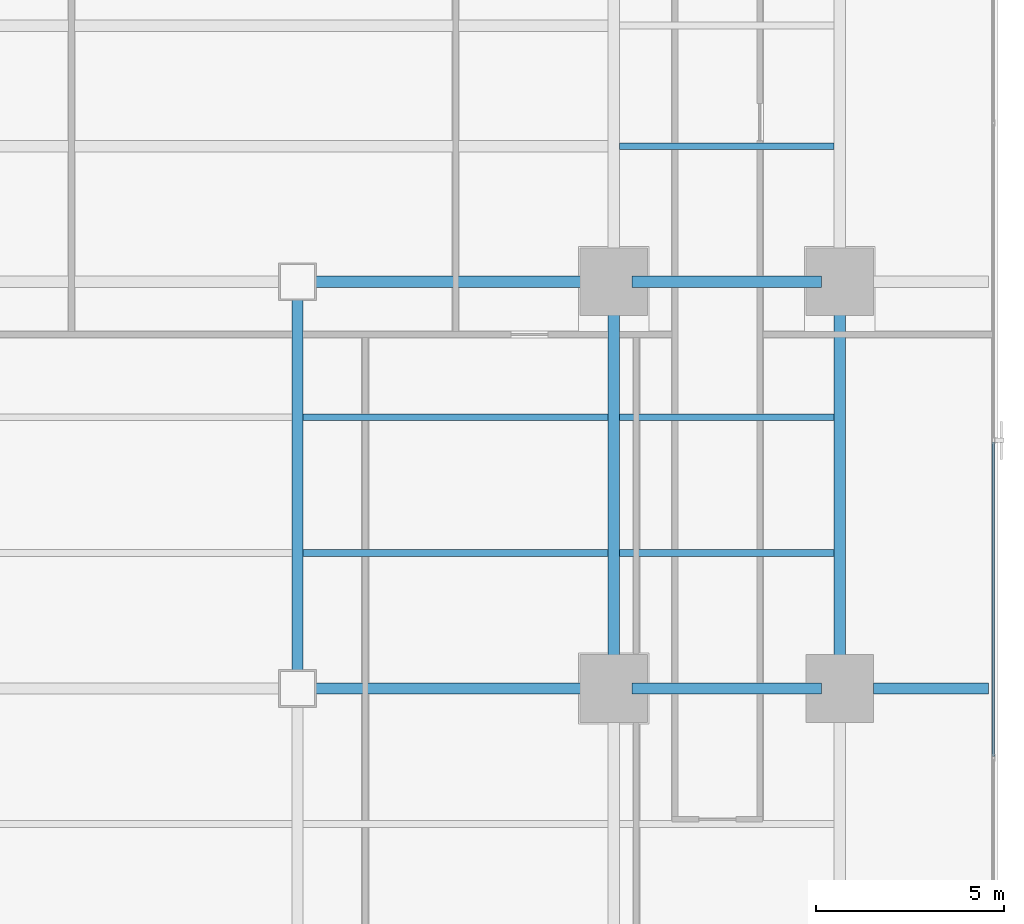
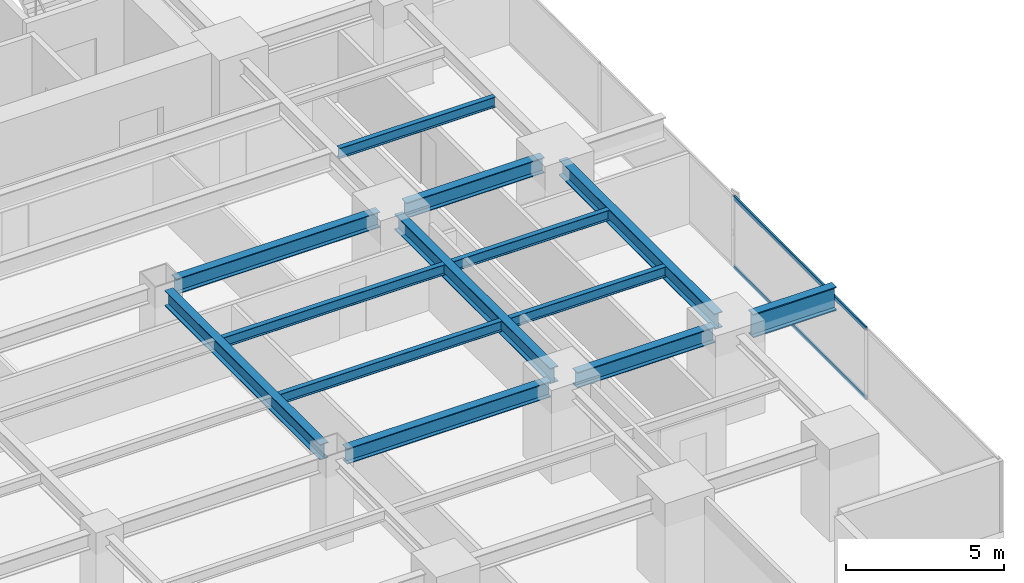
# One storey, part 13 of 32: 13 beams, 2 members, 1 element without a shape of its own.
"""IFC4 building model written with IfcOpenShell, lengths in metres."""

from ifc_helpers import new_model, si_unit, direction, frame, origin, origin_2d, place, context, subcontext, project, spatial, hollow_rectangle, i_section, extrude, source, transform, mapped, material, layer, layer_set, material_profile, profile_set, type_object, element, aggregate, save


model = new_model("IFC4")

# Units and contexts
model_context = context("Model", 3, precision=1e-05, world=origin(), true_north=direction((0.0, 1.0)))
body_context = subcontext(model_context, "Body", "Model", "MODEL_VIEW")
ifc_project = project(units=[si_unit("LENGTHUNIT", "METRE"), si_unit("AREAUNIT", "SQUARE_METRE"), si_unit("VOLUMEUNIT", "CUBIC_METRE"), si_unit("PLANEANGLEUNIT", "RADIAN"), si_unit("MASSUNIT", "GRAM", prefix="KILO")], contexts=[model_context])

# Site, building, storey
site_placement = place(None, origin())
site = spatial("IfcSite", under=ifc_project, at=site_placement, CompositionType="ELEMENT")
building_placement = place(site_placement, origin())
building = spatial("IfcBuilding", under=site, at=building_placement, Name="Sumidabori Civic Tower", CompositionType="ELEMENT")
storey_placement = place(building_placement, frame((0.0, 0.0, 48.800048828125)))
storey = spatial("IfcBuildingStorey", under=building, at=storey_placement, Name="L12", CompositionType="ELEMENT", Elevation=48.800048828125)

# Beams
ifc_material_1 = material(Name="Steel SN490", Category="steel")
ifc_material_profile_1 = material_profile(ifc_material_1, i_section(OverallWidth=0.300048828125, OverallDepth=0.60009765625, WebThickness=0.015380859375, FlangeThickness=0.030029296875, at=origin_2d()), Name="HE 600 B")
ifc_profile_set_1 = profile_set([ifc_material_profile_1], Name="Steel SN490")
beam_type_1 = type_object("IfcBeamType", Name="BM-GIRD-600", PredefinedType="BEAM", material=ifc_profile_set_1)
shared_shape_1 = source(origin(), body_context, "Body", "SweptSolid", [
    extrude(i_section(OverallWidth=0.300048828125, OverallDepth=0.60009765625, WebThickness=0.015380859375, FlangeThickness=0.030029296875, at=origin_2d()), origin(), (0.0, 0.0, 1.0), 5.0400390625),
])
for number, where, z_axis, x_axis, name in (
    (1, (17.280029296875, -10.800048828125, 3.06005859375), (1.0, 0.0, 0.0), (0.0, 1.0, 0.0), "Primary Girder L12 GX-12"),
    (2, (17.280029296875, 0.0, 3.06005859375), (1.0, 0.0, 0.0), (0.0, 1.0, 0.0), "Primary Girder L12 GX-18"),
):
    element("IfcBeam", number, at=place(storey_placement, frame(where, z_axis=z_axis, x_axis=x_axis)), inside=storey, type_object=beam_type_1, Name=name, PredefinedType="BEAM", context=body_context, shape_type="MappedRepresentation", body=[
        mapped(shared_shape_1, transform((0.0, 0.0, 0.0), x_axis=(1.0, 0.0, 0.0), y_axis=(0.0, 1.0, 0.0), z_axis=(0.0, 0.0, 1.0), scale=1.0)),
    ])
shared_shape_2 = source(origin(), body_context, "Body", "SweptSolid", [
    extrude(i_section(OverallWidth=0.300048828125, OverallDepth=0.60009765625, WebThickness=0.015380859375, FlangeThickness=0.030029296875, at=origin_2d()), origin(), (0.0, 0.0, 1.0), 7.440185546875),
])
for number, where, z_axis, x_axis, name in (
    (3, (8.8798828125, -10.800048828125, 3.06005859375), (1.0, 0.0, 0.0), (0.0, 1.0, 0.0), "Primary Girder L12 GX-11"),
    (4, (8.8798828125, 0.0, 3.06005859375), (1.0, 0.0, 0.0), (0.0, 1.0, 0.0), "Primary Girder L12 GX-17"),
):
    element("IfcBeam", number, at=place(storey_placement, frame(where, z_axis=z_axis, x_axis=x_axis)), inside=storey, type_object=beam_type_1, Name=name, PredefinedType="BEAM", context=body_context, shape_type="MappedRepresentation", body=[
        mapped(shared_shape_2, transform((0.0, 0.0, 0.0), x_axis=(1.0, 0.0, 0.0), y_axis=(0.0, 1.0, 0.0), z_axis=(0.0, 0.0, 1.0), scale=1.0)),
    ])
shared_shape_3 = source(origin(), body_context, "Body", "SweptSolid", [
    extrude(i_section(OverallWidth=0.300048828125, OverallDepth=0.60009765625, WebThickness=0.015380859375, FlangeThickness=0.030029296875, at=origin_2d()), origin(), (0.0, 0.0, 1.0), 9.840087890625),
])
for number, where, z_axis, x_axis, name in (
    (5, (8.39990234375, -10.320068359375, 3.06005859375), (0.0, 1.0, 0.0), (-1.0, 0.0, 0.0), "Primary Girder L12 GY-34"),
    (6, (16.800048828125, -10.320068359375, 3.06005859375), (0.0, 1.0, 0.0), (-1.0, 0.0, 0.0), "Primary Girder L12 GY-36"),
    (7, (22.800048828125, -10.320068359375, 3.06005859375), (0.0, 1.0, 0.0), (-1.0, 0.0, 0.0), "Primary Girder L12 GY-40"),
):
    element("IfcBeam", number, at=place(storey_placement, frame(where, z_axis=z_axis, x_axis=x_axis)), inside=storey, type_object=beam_type_1, Name=name, PredefinedType="BEAM", context=body_context, shape_type="MappedRepresentation", body=[
        mapped(shared_shape_3, transform((0.0, 0.0, 0.0), x_axis=(1.0, 0.0, 0.0), y_axis=(0.0, 1.0, 0.0), z_axis=(0.0, 0.0, 1.0), scale=1.0)),
    ])
ifc_material_profile_2 = material_profile(ifc_material_1, i_section(OverallWidth=0.302001953125, OverallDepth=0.909912109375, WebThickness=0.02099609375, FlangeThickness=0.0400390625, at=origin_2d()), Name="HE 900 M")
ifc_profile_set_2 = profile_set([ifc_material_profile_2], Name="Steel SN490")
beam_type_2 = type_object("IfcBeamType", Name="BM-Z1-EDGE", PredefinedType="SPANDREL", material=ifc_profile_set_2)
shared_shape_4 = source(origin(), body_context, "Body", "SweptSolid", [
    extrude(i_section(OverallWidth=0.302001953125, OverallDepth=0.909912109375, WebThickness=0.02099609375, FlangeThickness=0.0400390625, at=origin_2d()), origin(), (0.0, 0.0, 1.0), 3.050048828125),
])
beam_placement = place(storey_placement, frame((23.699951171875, -10.800048828125, 2.905029296875), z_axis=(1.0, 0.0, 0.0), x_axis=(0.0, 1.0, 0.0)))
element("IfcBeam", 8, at=beam_placement, inside=storey, type_object=beam_type_2, Name="Perimeter Overhang Beam L12 E-43", PredefinedType="SPANDREL", context=body_context, shape_type="MappedRepresentation", body=[
    mapped(shared_shape_4, transform((0.0, 0.0, 0.0), x_axis=(1.0, 0.0, 0.0), y_axis=(0.0, 1.0, 0.0), z_axis=(0.0, 0.0, 1.0), scale=1.0)),
])
ifc_material_profile_3 = material_profile(ifc_material_1, i_section(OverallWidth=0.179931640625, OverallDepth=0.39990234375, WebThickness=0.008544921875, FlangeThickness=0.013427734375, at=origin_2d()), Name="IPE 400")
ifc_profile_set_3 = profile_set([ifc_material_profile_3], Name="Steel SN490")
beam_type_3 = type_object("IfcBeamType", Name="BM-JST-400", PredefinedType="JOIST", material=ifc_profile_set_3)
shared_shape_5 = source(origin(), body_context, "Body", "SweptSolid", [
    extrude(i_section(OverallWidth=0.179931640625, OverallDepth=0.39990234375, WebThickness=0.008544921875, FlangeThickness=0.013427734375, at=origin_2d()), origin(), (0.0, 0.0, 1.0), 5.699951171875),
])
for number, where, z_axis, x_axis, name in (
    (9, (16.949951171875, -7.199951171875, 3.159912109375), (1.0, 0.0, 0.0), (0.0, 1.0, 0.0), "Outer Bay Floor Joist L12 JSTO-50"),
    (10, (16.949951171875, -3.60009765625, 3.159912109375), (1.0, 0.0, 0.0), (0.0, 1.0, 0.0), "Outer Bay Floor Joist L12 JSTO-52"),
    (11, (16.949951171875, 3.60009765625, 3.159912109375), (1.0, 0.0, 0.0), (0.0, 1.0, 0.0), "Outer Bay Floor Joist L12 JSTO-54"),
):
    element("IfcBeam", number, at=place(storey_placement, frame(where, z_axis=z_axis, x_axis=x_axis)), inside=storey, type_object=beam_type_3, Name=name, PredefinedType="JOIST", context=body_context, shape_type="MappedRepresentation", body=[
        mapped(shared_shape_5, transform((0.0, 0.0, 0.0), x_axis=(1.0, 0.0, 0.0), y_axis=(0.0, 1.0, 0.0), z_axis=(0.0, 0.0, 1.0), scale=1.0)),
    ])
shared_shape_6 = source(origin(), body_context, "Body", "SweptSolid", [
    extrude(i_section(OverallWidth=0.179931640625, OverallDepth=0.39990234375, WebThickness=0.008544921875, FlangeThickness=0.013427734375, at=origin_2d()), origin(), (0.0, 0.0, 1.0), 8.099853515625),
])
for number, where, z_axis, x_axis, name in (
    (12, (8.550048828125, -7.199951171875, 3.159912109375), (1.0, 0.0, 0.0), (0.0, 1.0, 0.0), "South Bay Floor Joist L12 JSTS-68"),
    (13, (8.550048828125, -3.60009765625, 3.159912109375), (1.0, 0.0, 0.0), (0.0, 1.0, 0.0), "South Bay Floor Joist L12 JSTS-72"),
):
    element("IfcBeam", number, at=place(storey_placement, frame(where, z_axis=z_axis, x_axis=x_axis)), inside=storey, type_object=beam_type_3, Name=name, PredefinedType="JOIST", context=body_context, shape_type="MappedRepresentation", body=[
        mapped(shared_shape_6, transform((0.0, 0.0, 0.0), x_axis=(1.0, 0.0, 0.0), y_axis=(0.0, 1.0, 0.0), z_axis=(0.0, 0.0, 1.0), scale=1.0)),
    ])

# Curtain wall, members
ifc_material_2 = material(Name="Anodised Bronze Aluminium AW-6063-T6", Category="aluminium")
ifc_layer = layer(ifc_material_2, 0.179931640625, Name="Anodised Bronze Aluminium AW-6063-T6")
ifc_layer_set = layer_set([ifc_layer], Name="Anodised Bronze Aluminium AW-6063-T6")
curtain_wall_type = type_object("IfcCurtainWallType", Name="CW-SYS-2", PredefinedType="NOTDEFINED", material=ifc_layer_set)
curtain_wall_placement = place(storey_placement, origin())
curtain_wall = element("IfcCurtainWall", 14, at=curtain_wall_placement, inside=storey, type_object=curtain_wall_type, Name="Curtain Wall CW:L12:R04", PredefinedType="NOTDEFINED")
ifc_material_profile_4 = material_profile(ifc_material_2, hollow_rectangle(XDim=0.06494140625, YDim=0.14990234375, WallThickness=0.0048828125, at=origin_2d()), Name="ALU TRANSOM 150x65")
ifc_profile_set_4 = profile_set([ifc_material_profile_4], Name="Anodised Bronze Aluminium AW-6063-T6")
member_type = type_object("IfcMemberType", Name="CW-TRN-150", PredefinedType="USERDEFINED", material=ifc_profile_set_4)
shared_shape_7 = source(origin(), body_context, "Body", "SweptSolid", [
    extrude(hollow_rectangle(XDim=0.06494140625, YDim=0.14990234375, WallThickness=0.0048828125, at=origin_2d()), origin(), (0.0, 0.0, 1.0), 8.35791015625),
])
member_1_placement = place(storey_placement, frame((26.8798828125, -12.60693359375, 0.032470703125), z_axis=(0.0, 1.0, 0.0), x_axis=(-1.0, 0.0, 0.0)))
member_1 = element("IfcMember", 15, at=member_1_placement, type_object=member_type, Name="CW-2 transom 2.1", ObjectType="TRANSOM", PredefinedType="USERDEFINED", context=body_context, shape_type="MappedRepresentation", body=[
    mapped(shared_shape_7, transform((0.0, 0.0, 0.0), x_axis=(1.0, 0.0, 0.0), y_axis=(0.0, 1.0, 0.0), z_axis=(0.0, 0.0, 1.0), scale=1.0)),
])
member_2_placement = place(storey_placement, frame((26.8798828125, -12.60693359375, 2.70751953125), z_axis=(0.0, 1.0, 0.0), x_axis=(-1.0, 0.0, 0.0)))
member_2 = element("IfcMember", 16, at=member_2_placement, type_object=member_type, Name="CW-2 transom 2.2", ObjectType="TRANSOM", PredefinedType="USERDEFINED", context=body_context, shape_type="MappedRepresentation", body=[
    mapped(shared_shape_7, transform((0.0, 0.0, 0.0), x_axis=(1.0, 0.0, 0.0), y_axis=(0.0, 1.0, 0.0), z_axis=(0.0, 0.0, 1.0), scale=1.0)),
])
aggregate(curtain_wall, [member_1, member_2])

save(model, "model.ifc")
